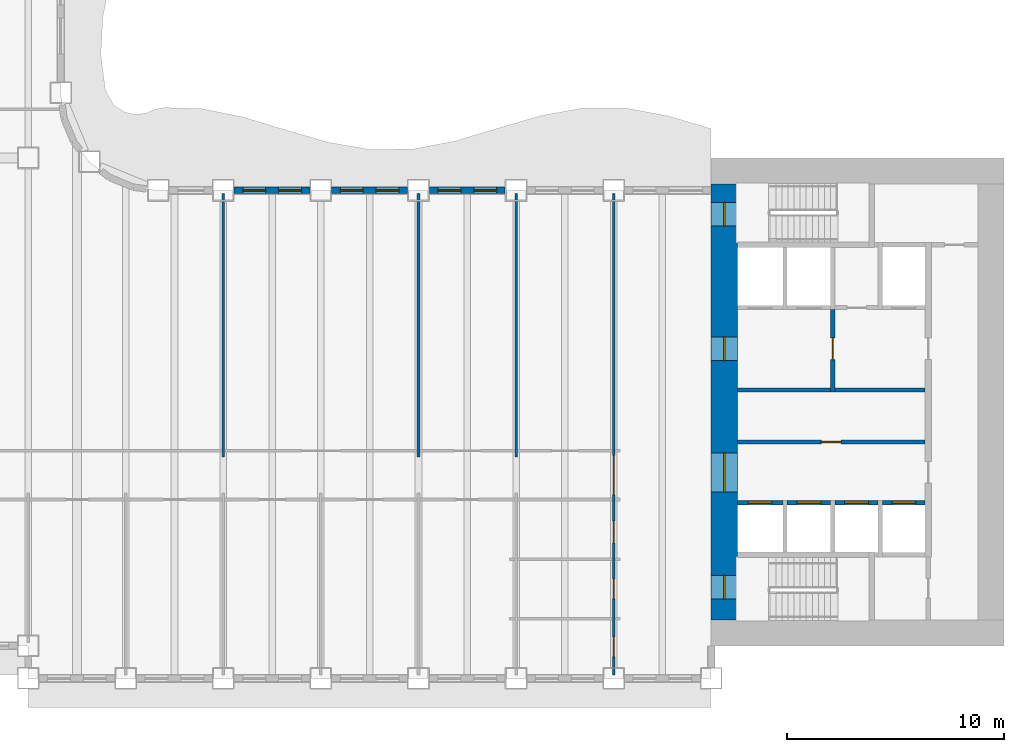
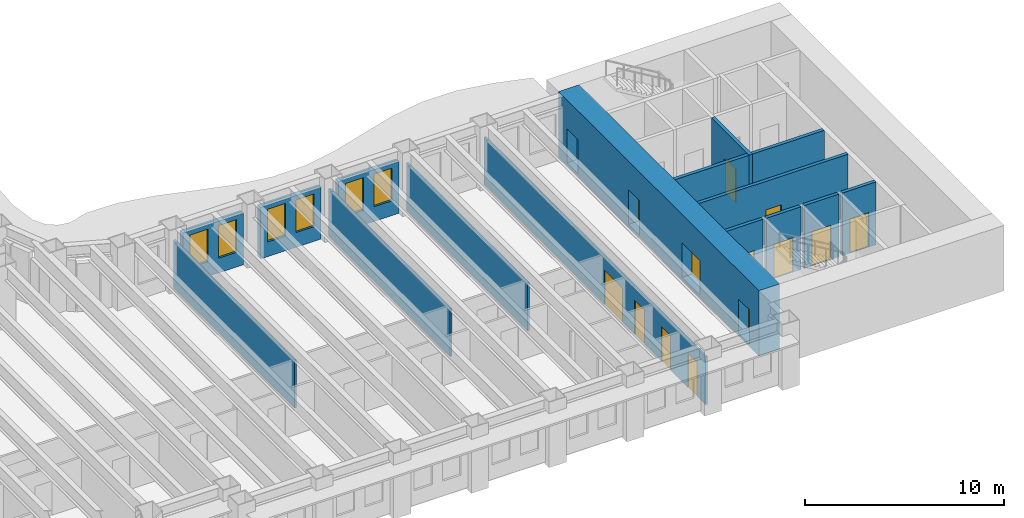
# One storey, part 6 of 16: 16 walls, 14 doors, 6 windows, 20 openings.
"""IFC4 building model written with IfcOpenShell, lengths in metres."""

from ifc_helpers import new_model, si_unit, direction, frame, frame_2d, origin, place, context, subcontext, project, spatial, rectangle, extrude, material, layer, layer_set, type_object, element, fill, save


model = new_model("IFC4")

# Units and contexts
model_context = context("Model", 3, precision=1e-05, world=origin(), true_north=direction((0.0, 1.0)))
body_context = subcontext(model_context, "Body", "Model", "MODEL_VIEW")
ifc_project = project(units=[si_unit("LENGTHUNIT", "METRE"), si_unit("AREAUNIT", "SQUARE_METRE"), si_unit("VOLUMEUNIT", "CUBIC_METRE"), si_unit("PLANEANGLEUNIT", "RADIAN"), si_unit("MASSUNIT", "GRAM", prefix="KILO")], contexts=[model_context])

# Site, building, storey
site_placement = place(None, origin())
site = spatial("IfcSite", under=ifc_project, at=site_placement, CompositionType="ELEMENT")
building_placement = place(site_placement, origin())
building = spatial("IfcBuilding", under=site, at=building_placement, Name="Sennacour Bend Tower", CompositionType="ELEMENT")
storey_placement = place(building_placement, frame((0.0, 0.0, 111.0)))
storey = spatial("IfcBuildingStorey", under=building, at=storey_placement, Name="L25", CompositionType="ELEMENT", Elevation=111.0)

# Wall, openings, doors
ifc_material_1 = material(Name="Concrete C80/95", Category="concrete")
ifc_layer_1 = layer(ifc_material_1, 1.199951171875, Name="Concrete C80/95", Category="concrete")
ifc_layer_set_1 = layer_set([ifc_layer_1], Name="Concrete C80/95")
wall_type_1 = type_object("IfcWallType", Name="Core wall 1200 C80/95", PredefinedType="SHEAR", material=ifc_layer_set_1)
wall_1_placement = place(storey_placement, frame((54.60009765625, 1.199951171875, -0.14990234375), z_axis=(0.0, 0.0, 1.0), x_axis=(0.0, 1.0, 0.0)))
wall_1 = element("IfcWall", 1, at=wall_1_placement, inside=storey, type_object=wall_type_1, Name="Core A wall L25 W", PredefinedType="SHEAR", context=body_context, shape_type="SweptSolid", body=[
    extrude(rectangle(XDim=20.10009765625, YDim=1.199951171875, at=frame_2d((10.050048828125, 0.0))), origin(), (0.0, 0.0, 1.0), 4.0),
])
opening_1_placement = place(wall_1_placement, frame((5.89990234375, 0.0, 0.14990234375)))
opening_1 = element("IfcOpeningElement", 2, at=opening_1_placement, cuts=wall_1, Name="Opening CD", PredefinedType="OPENING", context=body_context, shape_type="SweptSolid", body=[
    extrude(rectangle(XDim=1.800048828125, YDim=2.10009765625, at=frame_2d((0.89990234375, 1.050048828125))), frame((0.0, 0.60986328125, 0.0), z_axis=(0.0, -1.0, 0.0), x_axis=(1.0, 0.0, 0.0)), (0.0, 0.0, 1.0), 1.219970703125),
])
opening_2_placement = place(wall_1_placement, frame((11.949951171875, 0.0, 0.14990234375)))
opening_2 = element("IfcOpeningElement", 3, at=opening_2_placement, cuts=wall_1, Name="Opening FD", PredefinedType="OPENING", context=body_context, shape_type="SweptSolid", body=[
    extrude(rectangle(XDim=1.10009765625, YDim=2.10009765625, at=frame_2d((0.550048828125, 1.050048828125))), frame((0.0, 0.60986328125, 0.0), z_axis=(0.0, -1.0, 0.0), x_axis=(1.0, 0.0, 0.0)), (0.0, 0.0, 1.0), 1.219970703125),
])
opening_3_placement = place(wall_1_placement, frame((0.949951171875, 0.0, 0.14990234375)))
opening_3 = element("IfcOpeningElement", 4, at=opening_3_placement, cuts=wall_1, Name="Opening SD", PredefinedType="OPENING", context=body_context, shape_type="SweptSolid", body=[
    extrude(rectangle(XDim=1.10009765625, YDim=2.10009765625, at=frame_2d((0.550048828125, 1.050048828125))), frame((0.0, 0.60986328125, 0.0), z_axis=(0.0, -1.0, 0.0), x_axis=(1.0, 0.0, 0.0)), (0.0, 0.0, 1.0), 1.219970703125),
])
opening_4_placement = place(wall_1_placement, frame((18.14990234375, 0.0, 0.14990234375)))
opening_4 = element("IfcOpeningElement", 5, at=opening_4_placement, cuts=wall_1, Name="Opening SD", PredefinedType="OPENING", context=body_context, shape_type="SweptSolid", body=[
    extrude(rectangle(XDim=1.10009765625, YDim=2.10009765625, at=frame_2d((0.550048828125, 1.050048828125))), frame((0.0, 0.60986328125, 0.0), z_axis=(0.0, -1.0, 0.0), x_axis=(1.0, 0.0, 0.0)), (0.0, 0.0, 1.0), 1.219970703125),
])
ifc_material_2 = material(Name="Painted steel", Category="steel")
door_type_1 = type_object("IfcDoorType", Name="DR-FFL-1100", OperationType="NOTDEFINED", PredefinedType="DOOR", material=ifc_material_2)
door_1_placement = place(opening_2_placement, origin())
door_1 = element("IfcDoor", 6, at=door_1_placement, inside=storey, type_object=door_type_1, Name="Door", OperationType="SINGLE_SWING_RIGHT", OverallHeight=2.10009765625, OverallWidth=1.10009765625, PredefinedType="DOOR", context=body_context, shape_type="SweptSolid", body=[
    extrude(rectangle(XDim=1.10009765625, YDim=2.10009765625, at=frame_2d((0.550048828125, 1.050048828125))), frame((0.0, 0.02490234375, 0.0), z_axis=(0.0, -1.0, 0.0), x_axis=(1.0, 0.0, 0.0)), (0.0, 0.0, 1.0), 0.050048828125),
])
fill(opening_2, door_1)
door_type_2 = type_object("IfcDoorType", Name="DR-LOBBY-1800", OperationType="NOTDEFINED", PredefinedType="DOOR", material=ifc_material_2)
door_2_placement = place(opening_1_placement, origin())
door_2 = element("IfcDoor", 7, at=door_2_placement, inside=storey, type_object=door_type_2, Name="Door", OperationType="DOUBLE_DOOR_SINGLE_SWING", OverallHeight=2.10009765625, OverallWidth=1.800048828125, PredefinedType="DOOR", context=body_context, shape_type="SweptSolid", body=[
    extrude(rectangle(XDim=1.800048828125, YDim=2.10009765625, at=frame_2d((0.89990234375, 1.050048828125))), frame((0.0, 0.02490234375, 0.0), z_axis=(0.0, -1.0, 0.0), x_axis=(1.0, 0.0, 0.0)), (0.0, 0.0, 1.0), 0.050048828125),
])
fill(opening_1, door_2)
door_type_3 = type_object("IfcDoorType", Name="DR-STAIR-1100", OperationType="NOTDEFINED", PredefinedType="DOOR", material=ifc_material_2)
door_3_placement = place(opening_3_placement, origin())
door_3 = element("IfcDoor", 8, at=door_3_placement, inside=storey, type_object=door_type_3, Name="Door", OperationType="SINGLE_SWING_LEFT", OverallHeight=2.10009765625, OverallWidth=1.10009765625, PredefinedType="DOOR", context=body_context, shape_type="SweptSolid", body=[
    extrude(rectangle(XDim=1.10009765625, YDim=2.10009765625, at=frame_2d((0.550048828125, 1.050048828125))), frame((0.0, 0.02490234375, 0.0), z_axis=(0.0, -1.0, 0.0), x_axis=(1.0, 0.0, 0.0)), (0.0, 0.0, 1.0), 0.050048828125),
])
fill(opening_3, door_3)
door_4_placement = place(opening_4_placement, origin())
door_4 = element("IfcDoor", 9, at=door_4_placement, inside=storey, type_object=door_type_3, Name="Door", OperationType="SINGLE_SWING_RIGHT", OverallHeight=2.10009765625, OverallWidth=1.10009765625, PredefinedType="DOOR", context=body_context, shape_type="SweptSolid", body=[
    extrude(rectangle(XDim=1.10009765625, YDim=2.10009765625, at=frame_2d((0.550048828125, 1.050048828125))), frame((0.0, 0.02490234375, 0.0), z_axis=(0.0, -1.0, 0.0), x_axis=(1.0, 0.0, 0.0)), (0.0, 0.0, 1.0), 0.050048828125),
])
fill(opening_4, door_4)

# Walls
ifc_material_3 = material(Name="Plasterboard partition on steel studs", Category="steel")
ifc_layer_2 = layer(ifc_material_3, 0.1201171875, Name="Plasterboard partition on steel studs", Category="steel")
ifc_layer_set_2 = layer_set([ifc_layer_2], Name="Plasterboard partition on steel studs")
wall_type_2 = type_object("IfcWallType", Name="Partition 120", PredefinedType="PARTITIONING", material=ifc_layer_set_2)
for number, where, z_axis, x_axis, name in (
    (10, (31.5, 8.699951171875, 0.0), (0.0, 0.0, 1.0), (0.0, 1.0, 0.0), "P-L25-W027a"),
    (11, (40.5, 8.699951171875, 0.0), (0.0, 0.0, 1.0), (0.0, 1.0, 0.0), "P-L25-W030a"),
    (12, (45.0, 8.699951171875, 0.0), (0.0, 0.0, 1.0), (0.0, 1.0, 0.0), "P-L25-W032a"),
):
    element("IfcWall", number, at=place(storey_placement, frame(where, z_axis=z_axis, x_axis=x_axis)), inside=storey, type_object=wall_type_2, Name=name, PredefinedType="PARTITIONING", context=body_context, shape_type="SweptSolid", body=[
        extrude(rectangle(XDim=12.150146484375, YDim=0.1201171875, at=frame_2d((6.0751953125, 0.0))), origin(), (0.0, 0.0, 1.0), 2.93798828125),
    ])

# Wall, openings, doors
ifc_layer_3 = layer(ifc_material_3, 0.1201171875, Name="Plasterboard partition on steel studs", Category="steel")
ifc_layer_set_3 = layer_set([ifc_layer_3], Name="Plasterboard partition on steel studs")
wall_type_3 = type_object("IfcWallType", Name="Partition 120 EI 30", PredefinedType="PARTITIONING", material=ifc_layer_set_3)
wall_2_placement = place(storey_placement, frame((49.5, -1.35009765625, 0.0), z_axis=(0.0, 0.0, 1.0), x_axis=(0.0, 1.0, 0.0)))
wall_2 = element("IfcWall", 13, at=wall_2_placement, inside=storey, type_object=wall_type_3, Name="P-L25-W033a", PredefinedType="PARTITIONING", context=body_context, shape_type="SweptSolid", body=[
    extrude(rectangle(XDim=22.2001953125, YDim=0.1201171875, at=frame_2d((11.10009765625, 0.0))), origin(), (0.0, 0.0, 1.0), 2.93798828125),
])
opening_5_placement = place(wall_2_placement, frame((8.3251953125, 0.0, 0.0)))
opening_5 = element("IfcOpeningElement", 14, at=opening_5_placement, cuts=wall_2, Name="Opening KD3", PredefinedType="OPENING", context=body_context, shape_type="SweptSolid", body=[
    extrude(rectangle(XDim=1.800048828125, YDim=2.10009765625, at=frame_2d((0.89990234375, 1.050048828125))), frame((0.0, 0.070068359375, 0.0), z_axis=(0.0, -1.0, 0.0), x_axis=(1.0, 0.0, 0.0)), (0.0, 0.0, 1.0), 0.14013671875),
])
opening_6_placement = place(wall_2_placement, frame((0.85009765625, 0.0, 0.0)))
opening_6 = element("IfcOpeningElement", 15, at=opening_6_placement, cuts=wall_2, Name="Opening WD", PredefinedType="OPENING", context=body_context, shape_type="SweptSolid", body=[
    extrude(rectangle(XDim=0.89990234375, YDim=2.10009765625, at=frame_2d((0.449951171875, 1.050048828125))), frame((0.0, 0.070068359375, 0.0), z_axis=(0.0, -1.0, 0.0), x_axis=(1.0, 0.0, 0.0)), (0.0, 0.0, 1.0), 0.14013671875),
])
opening_7_placement = place(wall_2_placement, frame((3.525146484375, 0.0, 0.0)))
opening_7 = element("IfcOpeningElement", 16, at=opening_7_placement, cuts=wall_2, Name="Opening WD", PredefinedType="OPENING", context=body_context, shape_type="SweptSolid", body=[
    extrude(rectangle(XDim=0.89990234375, YDim=2.10009765625, at=frame_2d((0.449951171875, 1.050048828125))), frame((0.0, 0.070068359375, 0.0), z_axis=(0.0, -1.0, 0.0), x_axis=(1.0, 0.0, 0.0)), (0.0, 0.0, 1.0), 0.14013671875),
])
opening_8_placement = place(wall_2_placement, frame((6.10009765625, 0.0, 0.0)))
opening_8 = element("IfcOpeningElement", 17, at=opening_8_placement, cuts=wall_2, Name="Opening AD", PredefinedType="OPENING", context=body_context, shape_type="SweptSolid", body=[
    extrude(rectangle(XDim=1.0, YDim=2.10009765625, at=frame_2d((0.5, 1.050048828125))), frame((0.0, 0.070068359375, 0.0), z_axis=(0.0, -1.0, 0.0), x_axis=(1.0, 0.0, 0.0)), (0.0, 0.0, 1.0), 0.14013671875),
])
ifc_material_4 = material(Name="Timber", Category="wood")
door_type_4 = type_object("IfcDoorType", Name="DR-ACC-WC-1000", OperationType="NOTDEFINED", PredefinedType="DOOR", material=ifc_material_4)
door_5_placement = place(opening_8_placement, origin())
door_5 = element("IfcDoor", 18, at=door_5_placement, inside=storey, type_object=door_type_4, Name="Door", OperationType="SINGLE_SWING_LEFT", OverallHeight=2.10009765625, OverallWidth=1.0, PredefinedType="DOOR", context=body_context, shape_type="SweptSolid", body=[
    extrude(rectangle(XDim=1.0, YDim=2.10009765625, at=frame_2d((0.5, 1.050048828125))), frame((0.0, 0.02490234375, 0.0), z_axis=(0.0, -1.0, 0.0), x_axis=(1.0, 0.0, 0.0)), (0.0, 0.0, 1.0), 0.050048828125),
])
fill(opening_8, door_5)
door_type_5 = type_object("IfcDoorType", Name="DR-CORRIDOR-1800", OperationType="NOTDEFINED", PredefinedType="DOOR", material=ifc_material_2)
door_6_placement = place(opening_5_placement, origin())
door_6 = element("IfcDoor", 19, at=door_6_placement, inside=storey, type_object=door_type_5, Name="Door", OperationType="DOUBLE_DOOR_SINGLE_SWING", OverallHeight=2.10009765625, OverallWidth=1.800048828125, PredefinedType="DOOR", context=body_context, shape_type="SweptSolid", body=[
    extrude(rectangle(XDim=1.800048828125, YDim=2.10009765625, at=frame_2d((0.89990234375, 1.050048828125))), frame((0.0, 0.02490234375, 0.0), z_axis=(0.0, -1.0, 0.0), x_axis=(1.0, 0.0, 0.0)), (0.0, 0.0, 1.0), 0.050048828125),
])
fill(opening_5, door_6)
door_type_6 = type_object("IfcDoorType", Name="DR-WC-900", OperationType="NOTDEFINED", PredefinedType="DOOR", material=ifc_material_4)
door_7_placement = place(opening_6_placement, origin())
door_7 = element("IfcDoor", 20, at=door_7_placement, inside=storey, type_object=door_type_6, Name="Door", OperationType="SINGLE_SWING_LEFT", OverallHeight=2.10009765625, OverallWidth=0.89990234375, PredefinedType="DOOR", context=body_context, shape_type="SweptSolid", body=[
    extrude(rectangle(XDim=0.89990234375, YDim=2.10009765625, at=frame_2d((0.449951171875, 1.050048828125))), frame((0.0, 0.02490234375, 0.0), z_axis=(0.0, -1.0, 0.0), x_axis=(1.0, 0.0, 0.0)), (0.0, 0.0, 1.0), 0.050048828125),
])
fill(opening_6, door_7)
door_8_placement = place(opening_7_placement, origin())
door_8 = element("IfcDoor", 21, at=door_8_placement, inside=storey, type_object=door_type_6, Name="Door", OperationType="SINGLE_SWING_LEFT", OverallHeight=2.10009765625, OverallWidth=0.89990234375, PredefinedType="DOOR", context=body_context, shape_type="SweptSolid", body=[
    extrude(rectangle(XDim=0.89990234375, YDim=2.10009765625, at=frame_2d((0.449951171875, 1.050048828125))), frame((0.0, 0.02490234375, 0.0), z_axis=(0.0, -1.0, 0.0), x_axis=(1.0, 0.0, 0.0)), (0.0, 0.0, 1.0), 0.050048828125),
])
fill(opening_7, door_8)

# Wall, opening, door
ifc_material_5 = material(Name="Fire-rated plasterboard partition on steel studs", Category="steel")
ifc_layer_4 = layer(ifc_material_5, 0.199951171875, Name="Fire-rated plasterboard partition on steel studs", Category="steel")
ifc_layer_set_4 = layer_set([ifc_layer_4], Name="Fire-rated plasterboard partition on steel studs")
wall_type_4 = type_object("IfcWallType", Name="Rated partition 200", PredefinedType="PARTITIONING", material=ifc_layer_set_4)
wall_3_placement = place(storey_placement, frame((55.199951171875, 9.39990234375, 0.0), z_axis=(0.0, 0.0, 1.0), x_axis=(1.0, 0.0, 0.0)))
wall_3 = element("IfcWall", 22, at=wall_3_placement, inside=storey, type_object=wall_type_4, Name="P-L25-W058", PredefinedType="PARTITIONING", context=body_context, shape_type="SweptSolid", body=[
    extrude(rectangle(XDim=8.650146484375, YDim=0.199951171875, at=frame_2d((4.3251953125, 0.0))), origin(), (0.0, 0.0, 1.0), 3.85009765625),
])
opening_9_placement = place(wall_3_placement, frame((3.875, 0.0, 0.0)))
opening_9 = element("IfcOpeningElement", 23, at=opening_9_placement, cuts=wall_3, Name="Opening SV", PredefinedType="OPENING", context=body_context, shape_type="SweptSolid", body=[
    extrude(rectangle(XDim=0.89990234375, YDim=2.10009765625, at=frame_2d((0.449951171875, 1.050048828125))), frame((0.0, 0.10986328125, 0.0), z_axis=(0.0, -1.0, 0.0), x_axis=(1.0, 0.0, 0.0)), (0.0, 0.0, 1.0), 0.219970703125),
])
door_type_7 = type_object("IfcDoorType", Name="DR-SERVICE-900", OperationType="NOTDEFINED", PredefinedType="DOOR", material=ifc_material_2)
door_9_placement = place(opening_9_placement, origin())
door_9 = element("IfcDoor", 24, at=door_9_placement, inside=storey, type_object=door_type_7, Name="Door", OperationType="SINGLE_SWING_LEFT", OverallHeight=2.10009765625, OverallWidth=0.89990234375, PredefinedType="DOOR", context=body_context, shape_type="SweptSolid", body=[
    extrude(rectangle(XDim=0.89990234375, YDim=2.10009765625, at=frame_2d((0.449951171875, 1.050048828125))), frame((0.0, 0.02490234375, 0.0), z_axis=(0.0, -1.0, 0.0), x_axis=(1.0, 0.0, 0.0)), (0.0, 0.0, 1.0), 0.050048828125),
])
fill(opening_9, door_9)

# Walls
wall_4_placement = place(storey_placement, frame((55.199951171875, 11.800048828125, 0.0), z_axis=(0.0, 0.0, 1.0), x_axis=(1.0, 0.0, 0.0)))
element("IfcWall", 25, at=wall_4_placement, inside=storey, type_object=wall_type_4, Name="P-L25-W059a", PredefinedType="PARTITIONING", context=body_context, shape_type="SweptSolid", body=[
    extrude(rectangle(XDim=4.300048828125, YDim=0.199951171875, at=frame_2d((2.14990234375, 0.0))), origin(), (0.0, 0.0, 1.0), 3.85009765625),
])
wall_5_placement = place(storey_placement, frame((59.699951171875, 11.800048828125, 0.0), z_axis=(0.0, 0.0, 1.0), x_axis=(1.0, 0.0, 0.0)))
element("IfcWall", 26, at=wall_5_placement, inside=storey, type_object=wall_type_4, Name="P-L25-W059b", PredefinedType="PARTITIONING", context=body_context, shape_type="SweptSolid", body=[
    extrude(rectangle(XDim=4.150146484375, YDim=0.199951171875, at=frame_2d((2.0751953125, 0.0))), origin(), (0.0, 0.0, 1.0), 3.85009765625),
])

# Wall, opening, door
ifc_layer_5 = layer(ifc_material_5, 0.199951171875, Name="Fire-rated plasterboard partition on steel studs", Category="steel")
ifc_layer_set_5 = layer_set([ifc_layer_5], Name="Fire-rated plasterboard partition on steel studs")
wall_type_5 = type_object("IfcWallType", Name="Rated partition 200 EI 90", PredefinedType="PARTITIONING", material=ifc_layer_set_5)
wall_6_placement = place(storey_placement, frame((59.60009765625, 11.699951171875, 0.0), z_axis=(0.0, 0.0, 1.0), x_axis=(0.0, 1.0, 0.0)))
wall_6 = element("IfcWall", 27, at=wall_6_placement, inside=storey, type_object=wall_type_5, Name="P-L25-W038", PredefinedType="PARTITIONING", context=body_context, shape_type="SweptSolid", body=[
    extrude(rectangle(XDim=3.800048828125, YDim=0.199951171875, at=frame_2d((1.89990234375, 0.0))), origin(), (0.0, 0.0, 1.0), 3.85009765625),
])
opening_10_placement = place(wall_6_placement, frame((1.5, 0.0, 0.0)))
opening_10 = element("IfcOpeningElement", 28, at=opening_10_placement, cuts=wall_6, Name="Opening FD2", PredefinedType="OPENING", context=body_context, shape_type="SweptSolid", body=[
    extrude(rectangle(XDim=1.0, YDim=2.10009765625, at=frame_2d((0.5, 1.050048828125))), frame((0.0, 0.10986328125, 0.0), z_axis=(0.0, -1.0, 0.0), x_axis=(1.0, 0.0, 0.0)), (0.0, 0.0, 1.0), 0.219970703125),
])
door_type_8 = type_object("IfcDoorType", Name="DR-FFL-1000", OperationType="NOTDEFINED", PredefinedType="DOOR", material=ifc_material_2)
door_10_placement = place(opening_10_placement, origin())
door_10 = element("IfcDoor", 29, at=door_10_placement, inside=storey, type_object=door_type_8, Name="Door", OperationType="SINGLE_SWING_RIGHT", OverallHeight=2.10009765625, OverallWidth=1.0, PredefinedType="DOOR", context=body_context, shape_type="SweptSolid", body=[
    extrude(rectangle(XDim=1.0, YDim=2.10009765625, at=frame_2d((0.5, 1.050048828125))), frame((0.0, 0.02490234375, 0.0), z_axis=(0.0, -1.0, 0.0), x_axis=(1.0, 0.0, 0.0)), (0.0, 0.0, 1.0), 0.050048828125),
])
fill(opening_10, door_10)

# Wall, openings, windows
ifc_material_6 = material(Name="Warm limestone cladding", Category="masonry")
ifc_layer_6 = layer(ifc_material_6, 0.050048828125, Name="Warm limestone cladding", Category="masonry")
ifc_material_7 = material(Name="Precast concrete C40/50", Category="concrete")
ifc_layer_7 = layer(ifc_material_7, 0.25, Name="Precast concrete C40/50", Category="concrete")
ifc_layer_set_6 = layer_set([ifc_layer_6, ifc_layer_7], Name="Precast concrete C40/50 with limestone cladding")
wall_type_6 = type_object("IfcWallType", Name="STONE-CLAD PRECAST SPANDREL 300", PredefinedType="STANDARD", material=ifc_layer_set_6)
wall_7_placement = place(storey_placement, frame((44.5, 21.0, 0.0), z_axis=(0.0, 0.0, 1.0), x_axis=(-1.0, 0.0, 0.0)))
wall_7 = element("IfcWall", 30, at=wall_7_placement, inside=storey, type_object=wall_type_6, Name="Stone spandrel and pier wall L25 06.02", PredefinedType="STANDARD", context=body_context, shape_type="SweptSolid", body=[
    extrude(rectangle(XDim=3.5, YDim=0.300048828125, at=frame_2d((1.75, 0.0))), origin(), (0.0, 0.0, 1.0), 3.154052734375),
])
opening_11_placement = place(wall_7_placement, frame((0.39990234375, 0.0, 0.89990234375)))
opening_11 = element("IfcOpeningElement", 31, at=opening_11_placement, cuts=wall_7, Name="Opening W13", PredefinedType="OPENING", context=body_context, shape_type="SweptSolid", body=[
    extrude(rectangle(XDim=1.050048828125, YDim=2.0, at=frame_2d((0.52490234375, 1.0))), frame((0.0, 0.16015625, 0.0), z_axis=(0.0, -1.0, 0.0), x_axis=(1.0, 0.0, 0.0)), (0.0, 0.0, 1.0), 0.320068359375),
])
opening_12_placement = place(wall_7_placement, frame((2.050048828125, 0.0, 0.89990234375)))
opening_12 = element("IfcOpeningElement", 32, at=opening_12_placement, cuts=wall_7, Name="Opening W13", PredefinedType="OPENING", context=body_context, shape_type="SweptSolid", body=[
    extrude(rectangle(XDim=1.050048828125, YDim=2.0, at=frame_2d((0.52490234375, 1.0))), frame((0.0, 0.16015625, 0.0), z_axis=(0.0, -1.0, 0.0), x_axis=(1.0, 0.0, 0.0)), (0.0, 0.0, 1.0), 0.320068359375),
])
ifc_material_8 = material(Name="Clear low-emissivity glass", Category="glass")
window_type = type_object("IfcWindowType", Name="WIN-RIBBON-1050x2000", PartitioningType="SINGLE_PANEL", PredefinedType="WINDOW", material=ifc_material_8)
window_1_placement = place(opening_11_placement, origin())
window_1 = element("IfcWindow", 33, at=window_1_placement, inside=storey, type_object=window_type, Name="Ribbon window L25 06.02.0", OverallHeight=2.0, OverallWidth=1.050048828125, PartitioningType="SINGLE_PANEL", PredefinedType="WINDOW", context=body_context, shape_type="SweptSolid", body=[
    extrude(rectangle(XDim=1.050048828125, YDim=2.0, at=frame_2d((0.52490234375, 1.0))), frame((0.0, 0.030029296875, 0.0), z_axis=(0.0, -1.0, 0.0), x_axis=(1.0, 0.0, 0.0)), (0.0, 0.0, 1.0), 0.06005859375),
])
fill(opening_11, window_1)
window_2_placement = place(opening_12_placement, origin())
window_2 = element("IfcWindow", 34, at=window_2_placement, inside=storey, type_object=window_type, Name="Ribbon window L25 06.02.1", OverallHeight=2.0, OverallWidth=1.050048828125, PartitioningType="SINGLE_PANEL", PredefinedType="WINDOW", context=body_context, shape_type="SweptSolid", body=[
    extrude(rectangle(XDim=1.050048828125, YDim=2.0, at=frame_2d((0.52490234375, 1.0))), frame((0.0, 0.030029296875, 0.0), z_axis=(0.0, -1.0, 0.0), x_axis=(1.0, 0.0, 0.0)), (0.0, 0.0, 1.0), 0.06005859375),
])
fill(opening_12, window_2)

wall_8_placement = place(storey_placement, frame((40.0, 21.0, 0.0), z_axis=(0.0, 0.0, 1.0), x_axis=(-1.0, 0.0, 0.0)))
wall_8 = element("IfcWall", 35, at=wall_8_placement, inside=storey, type_object=wall_type_6, Name="Stone spandrel and pier wall L25 06.03", PredefinedType="STANDARD", context=body_context, shape_type="SweptSolid", body=[
    extrude(rectangle(XDim=3.5, YDim=0.300048828125, at=frame_2d((1.75, 0.0))), origin(), (0.0, 0.0, 1.0), 3.154052734375),
])
opening_13_placement = place(wall_8_placement, frame((0.39990234375, 0.0, 0.89990234375)))
opening_13 = element("IfcOpeningElement", 36, at=opening_13_placement, cuts=wall_8, Name="Opening W13", PredefinedType="OPENING", context=body_context, shape_type="SweptSolid", body=[
    extrude(rectangle(XDim=1.050048828125, YDim=2.0, at=frame_2d((0.52490234375, 1.0))), frame((0.0, 0.16015625, 0.0), z_axis=(0.0, -1.0, 0.0), x_axis=(1.0, 0.0, 0.0)), (0.0, 0.0, 1.0), 0.320068359375),
])
opening_14_placement = place(wall_8_placement, frame((2.050048828125, 0.0, 0.89990234375)))
opening_14 = element("IfcOpeningElement", 37, at=opening_14_placement, cuts=wall_8, Name="Opening W13", PredefinedType="OPENING", context=body_context, shape_type="SweptSolid", body=[
    extrude(rectangle(XDim=1.050048828125, YDim=2.0, at=frame_2d((0.52490234375, 1.0))), frame((0.0, 0.16015625, 0.0), z_axis=(0.0, -1.0, 0.0), x_axis=(1.0, 0.0, 0.0)), (0.0, 0.0, 1.0), 0.320068359375),
])
window_3_placement = place(opening_13_placement, origin())
window_3 = element("IfcWindow", 38, at=window_3_placement, inside=storey, type_object=window_type, Name="Ribbon window L25 06.03.0", OverallHeight=2.0, OverallWidth=1.050048828125, PartitioningType="SINGLE_PANEL", PredefinedType="WINDOW", context=body_context, shape_type="SweptSolid", body=[
    extrude(rectangle(XDim=1.050048828125, YDim=2.0, at=frame_2d((0.52490234375, 1.0))), frame((0.0, 0.030029296875, 0.0), z_axis=(0.0, -1.0, 0.0), x_axis=(1.0, 0.0, 0.0)), (0.0, 0.0, 1.0), 0.06005859375),
])
fill(opening_13, window_3)
window_4_placement = place(opening_14_placement, origin())
window_4 = element("IfcWindow", 39, at=window_4_placement, inside=storey, type_object=window_type, Name="Ribbon window L25 06.03.1", OverallHeight=2.0, OverallWidth=1.050048828125, PartitioningType="SINGLE_PANEL", PredefinedType="WINDOW", context=body_context, shape_type="SweptSolid", body=[
    extrude(rectangle(XDim=1.050048828125, YDim=2.0, at=frame_2d((0.52490234375, 1.0))), frame((0.0, 0.030029296875, 0.0), z_axis=(0.0, -1.0, 0.0), x_axis=(1.0, 0.0, 0.0)), (0.0, 0.0, 1.0), 0.06005859375),
])
fill(opening_14, window_4)

wall_9_placement = place(storey_placement, frame((35.5, 21.0, 0.0), z_axis=(0.0, 0.0, 1.0), x_axis=(-1.0, 0.0, 0.0)))
wall_9 = element("IfcWall", 40, at=wall_9_placement, inside=storey, type_object=wall_type_6, Name="Stone spandrel and pier wall L25 06.04", PredefinedType="STANDARD", context=body_context, shape_type="SweptSolid", body=[
    extrude(rectangle(XDim=3.5, YDim=0.300048828125, at=frame_2d((1.75, 0.0))), origin(), (0.0, 0.0, 1.0), 3.154052734375),
])
opening_15_placement = place(wall_9_placement, frame((0.39990234375, 0.0, 0.89990234375)))
opening_15 = element("IfcOpeningElement", 41, at=opening_15_placement, cuts=wall_9, Name="Opening W13", PredefinedType="OPENING", context=body_context, shape_type="SweptSolid", body=[
    extrude(rectangle(XDim=1.050048828125, YDim=2.0, at=frame_2d((0.52490234375, 1.0))), frame((0.0, 0.16015625, 0.0), z_axis=(0.0, -1.0, 0.0), x_axis=(1.0, 0.0, 0.0)), (0.0, 0.0, 1.0), 0.320068359375),
])
opening_16_placement = place(wall_9_placement, frame((2.050048828125, 0.0, 0.89990234375)))
opening_16 = element("IfcOpeningElement", 42, at=opening_16_placement, cuts=wall_9, Name="Opening W13", PredefinedType="OPENING", context=body_context, shape_type="SweptSolid", body=[
    extrude(rectangle(XDim=1.050048828125, YDim=2.0, at=frame_2d((0.52490234375, 1.0))), frame((0.0, 0.16015625, 0.0), z_axis=(0.0, -1.0, 0.0), x_axis=(1.0, 0.0, 0.0)), (0.0, 0.0, 1.0), 0.320068359375),
])
window_5_placement = place(opening_15_placement, origin())
window_5 = element("IfcWindow", 43, at=window_5_placement, inside=storey, type_object=window_type, Name="Ribbon window L25 06.04.0", OverallHeight=2.0, OverallWidth=1.050048828125, PartitioningType="SINGLE_PANEL", PredefinedType="WINDOW", context=body_context, shape_type="SweptSolid", body=[
    extrude(rectangle(XDim=1.050048828125, YDim=2.0, at=frame_2d((0.52490234375, 1.0))), frame((0.0, 0.030029296875, 0.0), z_axis=(0.0, -1.0, 0.0), x_axis=(1.0, 0.0, 0.0)), (0.0, 0.0, 1.0), 0.06005859375),
])
fill(opening_15, window_5)
window_6_placement = place(opening_16_placement, origin())
window_6 = element("IfcWindow", 44, at=window_6_placement, inside=storey, type_object=window_type, Name="Ribbon window L25 06.04.1", OverallHeight=2.0, OverallWidth=1.050048828125, PartitioningType="SINGLE_PANEL", PredefinedType="WINDOW", context=body_context, shape_type="SweptSolid", body=[
    extrude(rectangle(XDim=1.050048828125, YDim=2.0, at=frame_2d((0.52490234375, 1.0))), frame((0.0, 0.030029296875, 0.0), z_axis=(0.0, -1.0, 0.0), x_axis=(1.0, 0.0, 0.0)), (0.0, 0.0, 1.0), 0.06005859375),
])
fill(opening_16, window_6)

# Wall, opening, door
ifc_material_9 = material(Name="Concrete C50/60", Category="concrete")
ifc_layer_8 = layer(ifc_material_9, 0.199951171875, Name="Concrete C50/60", Category="concrete")
ifc_layer_set_7 = layer_set([ifc_layer_8], Name="Concrete C50/60")
wall_type_7 = type_object("IfcWallType", Name="Shaft wall 200", PredefinedType="SOLIDWALL", material=ifc_layer_set_7)
wall_10_placement = place(storey_placement, frame((55.199951171875, 6.60009765625, 0.0), z_axis=(0.0, 0.0, 1.0), x_axis=(1.0, 0.0, 0.0)))
wall_10 = element("IfcWall", 45, at=wall_10_placement, inside=storey, type_object=wall_type_7, Name="P-L25-W055a", PredefinedType="SOLIDWALL", context=body_context, shape_type="SweptSolid", body=[
    extrude(rectangle(XDim=2.10009765625, YDim=0.199951171875, at=frame_2d((1.050048828125, 0.0))), origin(), (0.0, 0.0, 1.0), 3.85009765625),
])
opening_17_placement = place(wall_10_placement, frame((0.5, 0.0, 0.011962890625)))
opening_17 = element("IfcOpeningElement", 46, at=opening_17_placement, cuts=wall_10, Name="Opening LD", PredefinedType="OPENING", context=body_context, shape_type="SweptSolid", body=[
    extrude(rectangle(XDim=1.10009765625, YDim=2.10009765625, at=frame_2d((0.550048828125, 1.050048828125))), frame((0.0, 0.10986328125, 0.0), z_axis=(0.0, -1.0, 0.0), x_axis=(1.0, 0.0, 0.0)), (0.0, 0.0, 1.0), 0.219970703125),
])
ifc_material_10 = material(Name="Stainless steel", Category="steel")
door_type_9 = type_object("IfcDoorType", Name="DR-LANDING-1100", OperationType="NOTDEFINED", PredefinedType="DOOR", material=ifc_material_10)
door_11_placement = place(opening_17_placement, origin())
door_11 = element("IfcDoor", 47, at=door_11_placement, inside=storey, type_object=door_type_9, Name="Lift landing door LA1", OperationType="SLIDING_TO_LEFT", OverallHeight=2.10009765625, OverallWidth=1.10009765625, PredefinedType="DOOR", context=body_context, shape_type="SweptSolid", body=[
    extrude(rectangle(XDim=1.10009765625, YDim=2.10009765625, at=frame_2d((0.550048828125, 1.050048828125))), frame((0.0, 0.02490234375, 0.0), z_axis=(0.0, -1.0, 0.0), x_axis=(1.0, 0.0, 0.0)), (0.0, 0.0, 1.0), 0.050048828125),
])
fill(opening_17, door_11)

wall_11_placement = place(storey_placement, frame((57.5, 6.60009765625, 0.0), z_axis=(0.0, 0.0, 1.0), x_axis=(1.0, 0.0, 0.0)))
wall_11 = element("IfcWall", 48, at=wall_11_placement, inside=storey, type_object=wall_type_7, Name="P-L25-W055b", PredefinedType="SOLIDWALL", context=body_context, shape_type="SweptSolid", body=[
    extrude(rectangle(XDim=2.0, YDim=0.199951171875, at=frame_2d((1.0, 0.0))), origin(), (0.0, 0.0, 1.0), 3.85009765625),
])
opening_18_placement = place(wall_11_placement, frame((0.449951171875, 0.0, 0.011962890625)))
opening_18 = element("IfcOpeningElement", 49, at=opening_18_placement, cuts=wall_11, Name="Opening LD", PredefinedType="OPENING", context=body_context, shape_type="SweptSolid", body=[
    extrude(rectangle(XDim=1.10009765625, YDim=2.10009765625, at=frame_2d((0.550048828125, 1.050048828125))), frame((0.0, 0.10986328125, 0.0), z_axis=(0.0, -1.0, 0.0), x_axis=(1.0, 0.0, 0.0)), (0.0, 0.0, 1.0), 0.219970703125),
])
door_12_placement = place(opening_18_placement, origin())
door_12 = element("IfcDoor", 50, at=door_12_placement, inside=storey, type_object=door_type_9, Name="Lift landing door LA2", OperationType="SLIDING_TO_RIGHT", OverallHeight=2.10009765625, OverallWidth=1.10009765625, PredefinedType="DOOR", context=body_context, shape_type="SweptSolid", body=[
    extrude(rectangle(XDim=1.10009765625, YDim=2.10009765625, at=frame_2d((0.550048828125, 1.050048828125))), frame((0.0, 0.02490234375, 0.0), z_axis=(0.0, -1.0, 0.0), x_axis=(1.0, 0.0, 0.0)), (0.0, 0.0, 1.0), 0.050048828125),
])
fill(opening_18, door_12)

wall_12_placement = place(storey_placement, frame((59.699951171875, 6.60009765625, 0.0), z_axis=(0.0, 0.0, 1.0), x_axis=(1.0, 0.0, 0.0)))
wall_12 = element("IfcWall", 51, at=wall_12_placement, inside=storey, type_object=wall_type_7, Name="P-L25-W055c", PredefinedType="SOLIDWALL", context=body_context, shape_type="SweptSolid", body=[
    extrude(rectangle(XDim=2.0, YDim=0.199951171875, at=frame_2d((1.0, 0.0))), origin(), (0.0, 0.0, 1.0), 3.85009765625),
])
opening_19_placement = place(wall_12_placement, frame((0.449951171875, 0.0, 0.011962890625)))
opening_19 = element("IfcOpeningElement", 52, at=opening_19_placement, cuts=wall_12, Name="Opening LD", PredefinedType="OPENING", context=body_context, shape_type="SweptSolid", body=[
    extrude(rectangle(XDim=1.10009765625, YDim=2.10009765625, at=frame_2d((0.550048828125, 1.050048828125))), frame((0.0, 0.10986328125, 0.0), z_axis=(0.0, -1.0, 0.0), x_axis=(1.0, 0.0, 0.0)), (0.0, 0.0, 1.0), 0.219970703125),
])
door_13_placement = place(opening_19_placement, origin())
door_13 = element("IfcDoor", 53, at=door_13_placement, inside=storey, type_object=door_type_9, Name="Lift landing door LA3", OperationType="SLIDING_TO_LEFT", OverallHeight=2.10009765625, OverallWidth=1.10009765625, PredefinedType="DOOR", context=body_context, shape_type="SweptSolid", body=[
    extrude(rectangle(XDim=1.10009765625, YDim=2.10009765625, at=frame_2d((0.550048828125, 1.050048828125))), frame((0.0, 0.02490234375, 0.0), z_axis=(0.0, -1.0, 0.0), x_axis=(1.0, 0.0, 0.0)), (0.0, 0.0, 1.0), 0.050048828125),
])
fill(opening_19, door_13)

wall_13_placement = place(storey_placement, frame((61.89990234375, 6.60009765625, 0.0), z_axis=(0.0, 0.0, 1.0), x_axis=(1.0, 0.0, 0.0)))
wall_13 = element("IfcWall", 54, at=wall_13_placement, inside=storey, type_object=wall_type_7, Name="P-L25-W055d", PredefinedType="SOLIDWALL", context=body_context, shape_type="SweptSolid", body=[
    extrude(rectangle(XDim=1.9501953125, YDim=0.199951171875, at=frame_2d((0.97509765625, 0.0))), origin(), (0.0, 0.0, 1.0), 3.85009765625),
])
opening_20_placement = place(wall_13_placement, frame((0.425048828125, 0.0, 0.011962890625)))
opening_20 = element("IfcOpeningElement", 55, at=opening_20_placement, cuts=wall_13, Name="Opening LD", PredefinedType="OPENING", context=body_context, shape_type="SweptSolid", body=[
    extrude(rectangle(XDim=1.10009765625, YDim=2.10009765625, at=frame_2d((0.550048828125, 1.050048828125))), frame((0.0, 0.10986328125, 0.0), z_axis=(0.0, -1.0, 0.0), x_axis=(1.0, 0.0, 0.0)), (0.0, 0.0, 1.0), 0.219970703125),
])
door_14_placement = place(opening_20_placement, origin())
door_14 = element("IfcDoor", 56, at=door_14_placement, inside=storey, type_object=door_type_9, Name="Lift landing door LA4", OperationType="SLIDING_TO_RIGHT", OverallHeight=2.10009765625, OverallWidth=1.10009765625, PredefinedType="DOOR", context=body_context, shape_type="SweptSolid", body=[
    extrude(rectangle(XDim=1.10009765625, YDim=2.10009765625, at=frame_2d((0.550048828125, 1.050048828125))), frame((0.0, 0.02490234375, 0.0), z_axis=(0.0, -1.0, 0.0), x_axis=(1.0, 0.0, 0.0)), (0.0, 0.0, 1.0), 0.050048828125),
])
fill(opening_20, door_14)

save(model, "model.ifc")
